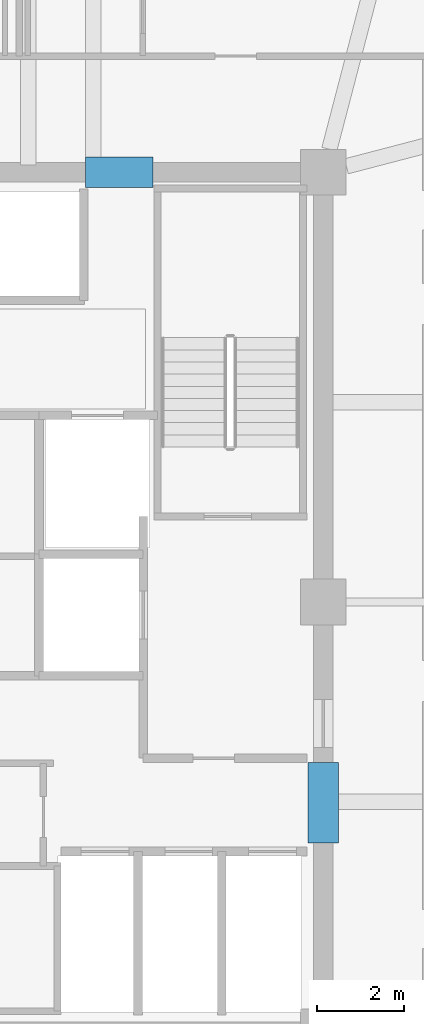
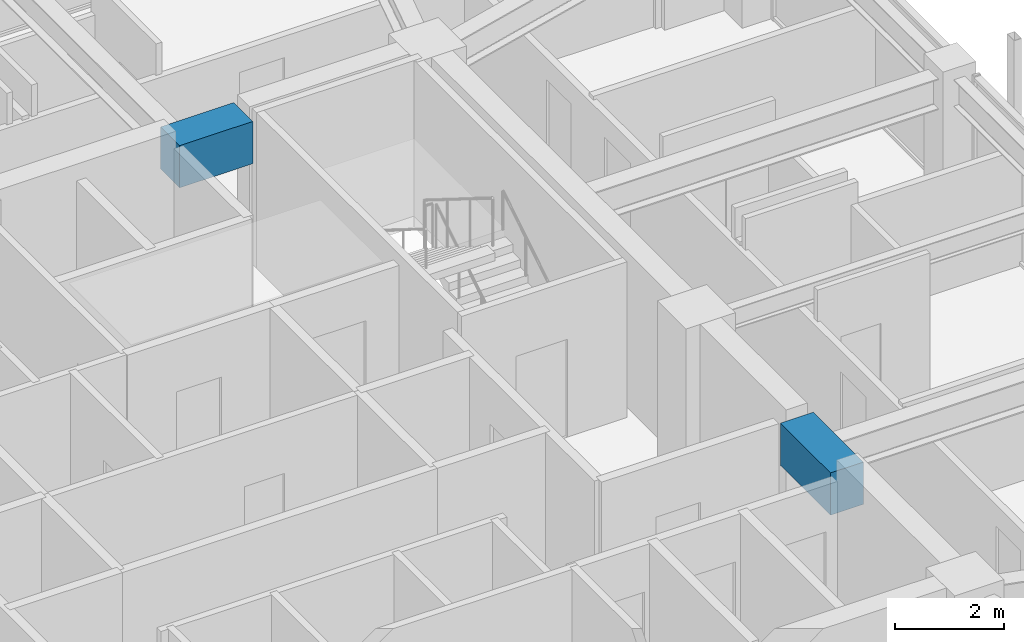
# One storey, part 11 of 34: 2 beams.
"""IFC4 building model written with IfcOpenShell, lengths in metres."""

import ifcopenshell
import ifcopenshell.guid

model = None  # the IFC model being written
_history = None  # IfcOwnerHistory: only IFC2X3 demands one
_inside = {}  # id of a spatial element -> (the spatial element, [elements in it])
_under = {}  # id of a project, library or spatial element -> (it, [spatial elements below it])
_declared = {}  # id of a project -> (the project, [libraries it declares])
_typed = {}  # id of a type object -> (the type object, [elements of that type])
_made_of = {}  # id of a material, layer set ... -> (it, [elements and type objects made of it])


def new_model(schema):
    """Start an empty IFC model of exactly this schema.

    Asked for "IFC4X3", IfcOpenShell would pick the latest addendum, in which some entities
    have other attributes; the version numbers below select the first issue.
    IFC2X3 requires an IfcOwnerHistory on every rooted entity: one is made here for all.
    """
    global model, _history
    if schema == "IFC4X3":
        model = ifcopenshell.file(schema_version=(4, 3, 0, 0))
    else:
        model = ifcopenshell.file(schema=schema)
    _inside.clear()
    _under.clear()
    _declared.clear()
    _typed.clear()
    _made_of.clear()
    _history = None
    if model.schema == "IFC2X3":
        org = make("IfcOrganization", Name="unknown")
        user = make(
            "IfcPersonAndOrganization",
            ThePerson=make("IfcPerson", FamilyName="unknown"),
            TheOrganization=org,
        )
        app = make(
            "IfcApplication",
            ApplicationDeveloper=org,
            Version="unknown",
            ApplicationFullName="unknown",
            ApplicationIdentifier="unknown",
        )
        _history = make(
            "IfcOwnerHistory",
            OwningUser=user,
            OwningApplication=app,
            ChangeAction="ADDED",
            CreationDate=0,
        )
    return model


def make(cls, **values):
    """One entity of the class cls with the attributes given. An attribute that is None is left unset."""
    return model.create_entity(
        cls, **{name: value for name, value in values.items() if value is not None}
    )


def rooted(cls, **values):
    """An entity with a GlobalId (a new one), such as an element, a storey or a relation."""
    return make(cls, GlobalId=ifcopenshell.guid.new(), OwnerHistory=_history, **values)


def si_unit(unit_type, name, prefix=None):
    """IfcSIUnit, for example si_unit("LENGTHUNIT", "METRE", prefix="MILLI")."""
    return make("IfcSIUnit", UnitType=unit_type, Prefix=prefix, Name=name)


def assignment(units):
    """IfcUnitAssignment: the units of a project."""
    return None if units is None else make("IfcUnitAssignment", Units=units)


def point(xyz):
    """IfcCartesianPoint."""
    return None if xyz is None else make("IfcCartesianPoint", Coordinates=xyz)


def direction(xyz):
    """IfcDirection."""
    return None if xyz is None else make("IfcDirection", DirectionRatios=xyz)


def frame(location, z_axis=None, x_axis=None):
    """IfcAxis2Placement3D, a coordinate frame: its origin and axes. An axis left out is left unset."""
    return make(
        "IfcAxis2Placement3D",
        Location=point(location),
        Axis=direction(z_axis),
        RefDirection=direction(x_axis),
    )


def frame_2d(location, x_axis=None):
    """IfcAxis2Placement2D, a coordinate frame in the plane: its origin and x axis."""
    return make(
        "IfcAxis2Placement2D", Location=point(location), RefDirection=direction(x_axis)
    )


def origin():
    """The frame at (0, 0, 0) with its axes left unset."""
    return frame((0.0, 0.0, 0.0))


def origin_2d():
    """The frame at (0, 0) in the plane with its x axis left unset."""
    return frame_2d((0.0, 0.0))


def place(relative_to, where):
    """IfcLocalPlacement: puts the frame where relative to a parent placement (None: the world)."""
    return make(
        "IfcLocalPlacement", PlacementRelTo=relative_to, RelativePlacement=where
    )


def context(
    kind, dimensions, precision=None, world=None, true_north=None, identifier=None
):
    """IfcGeometricRepresentationContext, for example the 3D "Model" context."""
    return make(
        "IfcGeometricRepresentationContext",
        ContextIdentifier=identifier,
        ContextType=kind,
        CoordinateSpaceDimension=dimensions,
        Precision=precision,
        WorldCoordinateSystem=world,
        TrueNorth=true_north,
    )


def subcontext(parent, identifier, kind, view, scale=None):
    """IfcGeometricRepresentationSubContext, for example "Body" below "Model"."""
    return make(
        "IfcGeometricRepresentationSubContext",
        ContextIdentifier=identifier,
        ContextType=kind,
        ParentContext=parent,
        TargetScale=scale,
        TargetView=view,
    )


def project(units=None, contexts=None):
    """IfcProject with its units and contexts."""
    return rooted(
        "IfcProject",
        Name="project",
        RepresentationContexts=contexts,
        UnitsInContext=assignment(units),
    )


def spatial(cls, under=None, at=None, **own):
    """A site, building, storey or space (cls), placed at a placement, below another one or the project."""
    s = rooted(cls, ObjectPlacement=at, **own)
    if under is not None:
        _under.setdefault(under.id(), (under, []))[1].append(s)
    return s


def profile(cls, at=None, kind="AREA", **sizes):
    """A parametric profile (cls). Its sizes go by their IFC names, for example OverallWidth=200.0."""
    return make(cls, ProfileType=kind, Position=at, **sizes)


def rectangle(**sizes):
    """IfcRectangleProfileDef."""
    return profile("IfcRectangleProfileDef", **sizes)


def extrude(swept, where, along, depth):
    """IfcExtrudedAreaSolid: the profile swept, set in the frame where, extruded along a direction by depth."""
    return make(
        "IfcExtrudedAreaSolid",
        SweptArea=swept,
        Position=where,
        ExtrudedDirection=direction(along),
        Depth=depth,
    )


def shape(context_of_items, identifier, shape_type, items):
    """IfcShapeRepresentation: the items that make up one representation, for example the "Body"."""
    return make(
        "IfcShapeRepresentation",
        ContextOfItems=context_of_items,
        RepresentationIdentifier=identifier,
        RepresentationType=shape_type,
        Items=items,
    )


def material(Name=None, Category=None):
    """IfcMaterial."""
    return make("IfcMaterial", Name=Name, Category=Category)


def material_profile(
    of_material, cross_section, Name=None, Category=None, Priority=None
):
    """IfcMaterialProfile: a cross section and its material."""
    return make(
        "IfcMaterialProfile",
        Name=Name,
        Material=of_material,
        Profile=cross_section,
        Priority=Priority,
        Category=Category,
    )


def profile_set(profiles, Name=None, composite=None):
    """IfcMaterialProfileSet."""
    return make(
        "IfcMaterialProfileSet",
        Name=Name,
        MaterialProfiles=profiles,
        CompositeProfile=composite,
    )


def made_of(thing, what):
    """Note that an element or type object is made of a material, layer set ...; save() writes the relation."""
    if what is not None:
        _made_of.setdefault(what.id(), (what, []))[1].append(thing)
    return thing


def type_object(cls, material=None, **own):
    """A type object (cls), such as IfcWallType, which elements share."""
    return made_of(rooted(cls, **own), material)


def element(
    cls,
    number,
    at=None,
    inside=None,
    cuts=None,
    type_object=None,
    material=None,
    context=None,
    identifier="Body",
    shape_type=None,
    held_by="IfcProductDefinitionShape",
    body=None,
    shapes=None,
    **own,
):
    """One element of the class cls, such as IfcWall. Its Tag is "e" and its number.

    at: its placement. inside: the storey or other place that contains it. cuts: it is an
    opening in that element (IfcRelVoidsElement). A single representation is given by context,
    identifier, shape_type and body (its items); several are given by shapes. held_by: the class
    of the entity that holds the representations. save() writes the other relations.
    """
    e = rooted(cls, Tag="e%d" % number, ObjectPlacement=at, **own)
    if body is not None:
        shapes = [shape(context, identifier, shape_type, body)]
    if shapes is not None:
        e.Representation = make(held_by, Representations=shapes)
    if inside is not None:
        _inside.setdefault(inside.id(), (inside, []))[1].append(e)
    if cuts is not None:
        rooted(
            "IfcRelVoidsElement", RelatingBuildingElement=cuts, RelatedOpeningElement=e
        )
    if type_object is not None:
        _typed.setdefault(type_object.id(), (type_object, []))[1].append(e)
    return made_of(e, material)


def aggregate(whole, parts):
    """IfcRelAggregates: a whole, such as a stair, and the parts it consists of."""
    return rooted("IfcRelAggregates", RelatingObject=whole, RelatedObjects=parts)


def save(model, path):
    """Write the relations noted so far, then the file.

    IfcRelAggregates (storeys below a building ...), IfcRelContainedInSpatialStructure (elements
    in a storey), IfcRelDefinesByType, IfcRelAssociatesMaterial and IfcRelDeclares: one each for
    every whole, place, type object, material and project.
    """
    for whole, parts in _under.values():
        aggregate(whole, parts)
    for where, things in _inside.values():
        rooted(
            "IfcRelContainedInSpatialStructure",
            RelatedElements=things,
            RelatingStructure=where,
        )
    for kind, things in _typed.values():
        rooted("IfcRelDefinesByType", RelatedObjects=things, RelatingType=kind)
    for what, things in _made_of.values():
        rooted("IfcRelAssociatesMaterial", RelatedObjects=things, RelatingMaterial=what)
    for by, libraries in _declared.values():
        rooted("IfcRelDeclares", RelatingContext=by, RelatedDefinitions=libraries)
    model.write(path)


model = new_model("IFC4")

# Units and contexts
model_context = context("Model", 3, precision=1e-05, world=origin(), true_north=direction((0.0, 1.0)))
body_context = subcontext(model_context, "Body", "Model", "MODEL_VIEW")
ifc_project = project(units=[si_unit("LENGTHUNIT", "METRE"), si_unit("AREAUNIT", "SQUARE_METRE"), si_unit("VOLUMEUNIT", "CUBIC_METRE"), si_unit("PLANEANGLEUNIT", "RADIAN"), si_unit("MASSUNIT", "GRAM", prefix="KILO")], contexts=[model_context])

# Site, building, storey
site_placement = place(None, origin())
site = spatial("IfcSite", under=ifc_project, at=site_placement, CompositionType="ELEMENT")
building_placement = place(site_placement, origin())
building = spatial("IfcBuilding", under=site, at=building_placement, Name="Kolvaren Belvedere", CompositionType="ELEMENT")
storey_placement = place(building_placement, frame((0.0, 0.0, 240.89990234375)))
storey = spatial("IfcBuildingStorey", under=building, at=storey_placement, Name="L70", CompositionType="ELEMENT", Elevation=240.89990234375)

# Beams
ifc_material = material(Name="Concrete C60/75", Category="concrete")
ifc_material_profile = material_profile(ifc_material, rectangle(XDim=0.699951171875, YDim=0.949951171875, at=origin_2d()), Name="RC 700X950")
ifc_profile_set = profile_set([ifc_material_profile], Name="Concrete C60/75")
beam_type = type_object("IfcBeamType", Name="BM-LINT-950", PredefinedType="LINTEL", material=ifc_profile_set)
beam_1_placement = place(storey_placement, frame((4.419921875, 9.89990234375, 2.775146484375), z_axis=(1.0, 0.0, 0.0), x_axis=(0.0, 1.0, 0.0)))
element("IfcBeam", 1, at=beam_1_placement, inside=storey, type_object=beam_type, Name="L70 North Core Coupling Lintel", PredefinedType="LINTEL", context=body_context, shape_type="SweptSolid", body=[
    extrude(rectangle(XDim=0.699951171875, YDim=0.949951171875, at=origin_2d()), origin(), (0.0, 0.0, 1.0), 1.56005859375),
])
beam_2_placement = place(storey_placement, frame((9.89990234375, -5.550048828125, 2.775146484375), z_axis=(0.0, 1.0, 0.0), x_axis=(-1.0, 0.0, 0.0)))
element("IfcBeam", 2, at=beam_2_placement, inside=storey, type_object=beam_type, Name="L70 East Core Coupling Lintel", PredefinedType="LINTEL", context=body_context, shape_type="SweptSolid", body=[
    extrude(rectangle(XDim=0.699951171875, YDim=0.949951171875, at=origin_2d()), origin(), (0.0, 0.0, 1.0), 1.85009765625),
])

save(model, "model.ifc")
